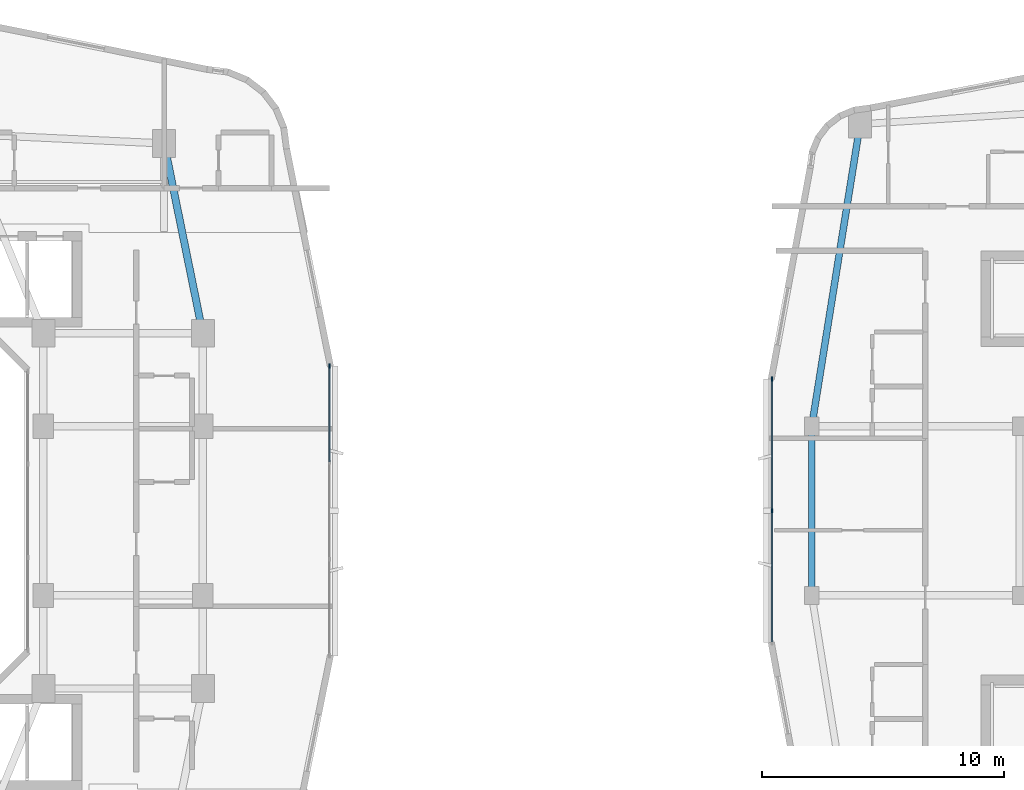
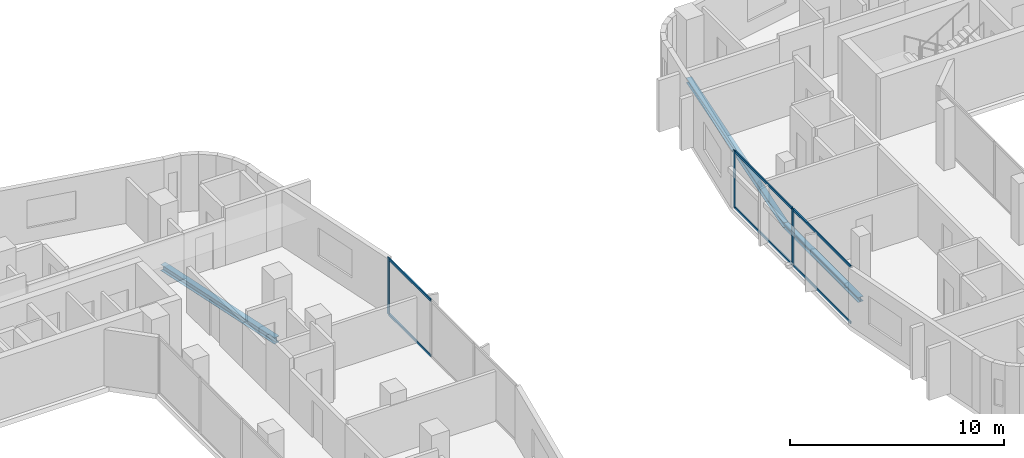
# One storey, part 6 of 26: 9 members, 3 beams, 2 elements without a shape of their own.
"""IFC4 building model written with IfcOpenShell, lengths in metres."""

from ifc_helpers import new_model, si_unit, derived_unit, direction, frame, origin, origin_2d, place, context, subcontext, project, spatial, rectangle, i_section, extrude, material, layer, layer_set, material_profile, profile_set, type_object, element, aggregate, save


model = new_model("IFC4")

# Units and contexts
model_context = context("Model", 3, precision=1e-05, world=origin(), true_north=direction((0.0, 1.0)))
body_context = subcontext(model_context, "Body", "Model", "MODEL_VIEW")
ifc_project = project(units=[si_unit("LENGTHUNIT", "METRE"), si_unit("AREAUNIT", "SQUARE_METRE"), si_unit("VOLUMEUNIT", "CUBIC_METRE"), si_unit("PLANEANGLEUNIT", "RADIAN"), si_unit("MASSUNIT", "GRAM", prefix="KILO"), derived_unit("THERMALTRANSMITTANCEUNIT", [(si_unit("POWERUNIT", "WATT"), 1), (si_unit("LENGTHUNIT", "METRE"), -2), (si_unit("THERMODYNAMICTEMPERATUREUNIT", "KELVIN"), -1)])], contexts=[model_context])

# Site, building, storey
site_placement = place(None, origin())
site = spatial("IfcSite", under=ifc_project, at=site_placement, CompositionType="ELEMENT")
building_placement = place(site_placement, origin())
building = spatial("IfcBuilding", under=site, at=building_placement, Name="Kivonza Crest Hotel", CompositionType="ELEMENT")
storey_placement = place(building_placement, frame((0.0, 0.0, 102.0)))
storey = spatial("IfcBuildingStorey", under=building, at=storey_placement, Name="L27", CompositionType="ELEMENT", Elevation=102.0)

# Beams
ifc_material_1 = material(Name="Steel S355", Category="steel")
ifc_material_profile_1 = material_profile(ifc_material_1, i_section(OverallWidth=0.280029296875, OverallDepth=0.280029296875, WebThickness=0.010498046875, FlangeThickness=0.01806640625, FilletRadius=0.02392578125, at=origin_2d()), Name="HEB 280")
ifc_profile_set_1 = profile_set([ifc_material_profile_1], Name="Steel S355")
beam_type_1 = type_object("IfcBeamType", Name="BM-HEB280", PredefinedType="SPANDREL", material=ifc_profile_set_1)
beam_1_placement = place(storey_placement, frame((63.0, 41.0, -0.389892578125), z_axis=(-0.157990501107, -0.987440631917, 0.0), x_axis=(0.987440631917, -0.157990501107, 0.0)))
element("IfcBeam", 1, at=beam_1_placement, inside=storey, type_object=beam_type_1, Name="Companion Tower T2 L27 perimeter spandrel NW-W2", PredefinedType="SPANDREL", context=body_context, shape_type="SweptSolid", body=[
    extrude(i_section(OverallWidth=0.280029296875, OverallDepth=0.280029296875, WebThickness=0.010498046875, FlangeThickness=0.01806640625, FilletRadius=0.02392578125, at=origin_2d()), origin(), (0.0, 0.0, 1.0), 12.658935546875),
])
beam_2_placement = place(storey_placement, frame((61.0, 28.5, -0.389892578125), z_axis=(0.0, -1.0, 0.0), x_axis=(1.0, 0.0, 0.0)))
element("IfcBeam", 2, at=beam_2_placement, inside=storey, type_object=beam_type_1, Name="Companion Tower T2 L27 perimeter spandrel W2-W1", PredefinedType="SPANDREL", context=body_context, shape_type="SweptSolid", body=[
    extrude(i_section(OverallWidth=0.280029296875, OverallDepth=0.280029296875, WebThickness=0.010498046875, FlangeThickness=0.01806640625, FilletRadius=0.02392578125, at=origin_2d()), origin(), (0.0, 0.0, 1.0), 7.0),
])
ifc_material_profile_2 = material_profile(ifc_material_1, i_section(OverallWidth=0.300048828125, OverallDepth=0.360107421875, WebThickness=0.012451171875, FlangeThickness=0.0224609375, FilletRadius=0.027099609375, at=origin_2d()), Name="HEB 360")
ifc_profile_set_2 = profile_set([ifc_material_profile_2], Name="Steel S355")
beam_type_2 = type_object("IfcBeamType", Name="BM-HEB360", PredefinedType="SPANDREL", material=ifc_profile_set_2)
beam_3_placement = place(storey_placement, frame((35.800048828125, 32.35009765625, -0.4599609375), z_axis=(-0.199730733965, 0.979850822273, 0.0), x_axis=(-0.979850822273, -0.199730733965, 0.0)))
element("IfcBeam", 3, at=beam_3_placement, inside=storey, type_object=beam_type_2, Name="Tower T1 L27 perimeter spandrel PNE-NE", PredefinedType="SPANDREL", context=body_context, shape_type="SweptSolid", body=[
    extrude(i_section(OverallWidth=0.300048828125, OverallDepth=0.360107421875, WebThickness=0.012451171875, FlangeThickness=0.0224609375, FilletRadius=0.027099609375, at=origin_2d()), origin(), (0.0, 0.0, 1.0), 8.01123046875),
])

# Curtain wall, member
ifc_material_2 = material(Name="Anodised bronze aluminium and low-E double glazing", Category="aluminium")
ifc_layer_1 = layer(ifc_material_2, 0.179931640625)
ifc_layer_set_1 = layer_set([ifc_layer_1], Name="Anodised bronze aluminium and low-E double glazing")
curtain_wall_type_1 = type_object("IfcCurtainWallType", Name="CW-SYS-2", PredefinedType="NOTDEFINED", material=ifc_layer_set_1)
curtain_wall_1_placement = place(storey_placement, origin())
curtain_wall_1 = element("IfcCurtainWall", 4, at=curtain_wall_1_placement, inside=storey, type_object=curtain_wall_type_1, Name="L27 unitised curtain wall CW-T1-L27-17", PredefinedType="NOTDEFINED")
ifc_material_3 = material(Name="Anodised bronze aluminium", Category="aluminium")
ifc_material_profile_3 = material_profile(ifc_material_3, rectangle(XDim=0.06494140625, YDim=0.179931640625, at=origin_2d()), Name="CW-M 65x180")
ifc_profile_set_3 = profile_set([ifc_material_profile_3], Name="Anodised bronze aluminium")
member_type_1 = type_object("IfcMemberType", Name="CW-MUL-65x180", PredefinedType="MULLION", material=ifc_profile_set_3)
member_1_placement = place(storey_placement, frame((41.0400390625, 30.987548828125, 0.0), z_axis=(0.0, 0.0, 1.0), x_axis=(-1.0, 0.0, 0.0)))
member_1 = element("IfcMember", 5, at=member_1_placement, type_object=member_type_1, Name="CW-2 mullion 4", PredefinedType="MULLION", context=body_context, shape_type="SweptSolid", body=[
    extrude(rectangle(XDim=0.06494140625, YDim=0.179931640625, at=origin_2d()), origin(), (0.0, 0.0, 1.0), 3.219970703125),
])

# Curtain wall, members
ifc_layer_2 = layer(ifc_material_2, 0.179931640625)
ifc_layer_set_2 = layer_set([ifc_layer_2], Name="Anodised bronze aluminium and low-E double glazing")
curtain_wall_type_2 = type_object("IfcCurtainWallType", Name="CW-SYS-4", PredefinedType="NOTDEFINED", material=ifc_layer_set_2)
curtain_wall_2_placement = place(storey_placement, origin())
curtain_wall_2 = element("IfcCurtainWall", 6, at=curtain_wall_2_placement, inside=storey, type_object=curtain_wall_type_2, Name="L27 unitised curtain wall CW-T2-L27-35", PredefinedType="NOTDEFINED")
member_2_placement = place(storey_placement, frame((59.360107421875, 30.447509765625, 0.0), z_axis=(0.0, 0.0, 1.0), x_axis=(1.0, 0.0, 0.0)))
member_2 = element("IfcMember", 7, at=member_2_placement, type_object=member_type_1, Name="CW-4 mullion 1", PredefinedType="MULLION", context=body_context, shape_type="SweptSolid", body=[
    extrude(rectangle(XDim=0.06494140625, YDim=0.179931640625, at=origin_2d()), origin(), (0.0, 0.0, 1.0), 3.25),
])
member_3_placement = place(storey_placement, frame((59.360107421875, 25.0, 0.0), z_axis=(0.0, 0.0, 1.0), x_axis=(1.0, 0.0, 0.0)))
member_3 = element("IfcMember", 8, at=member_3_placement, type_object=member_type_1, Name="CW-4 mullion 2", PredefinedType="MULLION", context=body_context, shape_type="SweptSolid", body=[
    extrude(rectangle(XDim=0.06494140625, YDim=0.179931640625, at=origin_2d()), origin(), (0.0, 0.0, 1.0), 3.25),
])

# Member
ifc_material_profile_4 = material_profile(ifc_material_3, rectangle(XDim=0.06494140625, YDim=0.139892578125, at=origin_2d()), Name="CW-T 65x140")
ifc_profile_set_4 = profile_set([ifc_material_profile_4], Name="Anodised bronze aluminium")
member_type_2 = type_object("IfcMemberType", Name="CW-TRN-65x140", PredefinedType="USERDEFINED", material=ifc_profile_set_4)
member_4_placement = place(storey_placement, frame((41.0400390625, 27.0390625, 0.032470703125), z_axis=(0.0, 1.0, 0.0), x_axis=(-1.0, 0.0, 0.0)))
member_4 = element("IfcMember", 9, at=member_4_placement, type_object=member_type_2, Name="CW-2 transom 3.1", ObjectType="TRANSOM", PredefinedType="USERDEFINED", context=body_context, shape_type="SweptSolid", body=[
    extrude(rectangle(XDim=0.06494140625, YDim=0.139892578125, at=origin_2d()), origin(), (0.0, 0.0, 1.0), 3.916015625),
])

member_5_placement = place(storey_placement, frame((41.0400390625, 27.0390625, 3.1875), z_axis=(0.0, 1.0, 0.0), x_axis=(-1.0, 0.0, 0.0)))
member_5 = element("IfcMember", 10, at=member_5_placement, type_object=member_type_2, Name="CW-2 transom 3.2", ObjectType="TRANSOM", PredefinedType="USERDEFINED", context=body_context, shape_type="SweptSolid", body=[
    extrude(rectangle(XDim=0.06494140625, YDim=0.139892578125, at=origin_2d()), origin(), (0.0, 0.0, 1.0), 3.916015625),
])

aggregate(curtain_wall_1, [member_1, member_4, member_5])

member_6_placement = place(storey_placement, frame((59.360107421875, 30.4150390625, 0.032470703125), z_axis=(0.0, -1.0, 0.0), x_axis=(1.0, 0.0, 0.0)))
member_6 = element("IfcMember", 11, at=member_6_placement, type_object=member_type_2, Name="CW-4 transom 1.1", ObjectType="TRANSOM", PredefinedType="USERDEFINED", context=body_context, shape_type="SweptSolid", body=[
    extrude(rectangle(XDim=0.06494140625, YDim=0.139892578125, at=origin_2d()), origin(), (0.0, 0.0, 1.0), 5.382568359375),
])

member_7_placement = place(storey_placement, frame((59.360107421875, 30.4150390625, 3.217529296875), z_axis=(0.0, -1.0, 0.0), x_axis=(1.0, 0.0, 0.0)))
member_7 = element("IfcMember", 12, at=member_7_placement, type_object=member_type_2, Name="CW-4 transom 1.2", ObjectType="TRANSOM", PredefinedType="USERDEFINED", context=body_context, shape_type="SweptSolid", body=[
    extrude(rectangle(XDim=0.06494140625, YDim=0.139892578125, at=origin_2d()), origin(), (0.0, 0.0, 1.0), 5.382568359375),
])

member_8_placement = place(storey_placement, frame((59.360107421875, 24.967529296875, 0.032470703125), z_axis=(0.0, -1.0, 0.0), x_axis=(1.0, 0.0, 0.0)))
member_8 = element("IfcMember", 13, at=member_8_placement, type_object=member_type_2, Name="CW-4 transom 2.1", ObjectType="TRANSOM", PredefinedType="USERDEFINED", context=body_context, shape_type="SweptSolid", body=[
    extrude(rectangle(XDim=0.06494140625, YDim=0.139892578125, at=origin_2d()), origin(), (0.0, 0.0, 1.0), 5.382568359375),
])

member_9_placement = place(storey_placement, frame((59.360107421875, 24.967529296875, 3.217529296875), z_axis=(0.0, -1.0, 0.0), x_axis=(1.0, 0.0, 0.0)))
member_9 = element("IfcMember", 14, at=member_9_placement, type_object=member_type_2, Name="CW-4 transom 2.2", ObjectType="TRANSOM", PredefinedType="USERDEFINED", context=body_context, shape_type="SweptSolid", body=[
    extrude(rectangle(XDim=0.06494140625, YDim=0.139892578125, at=origin_2d()), origin(), (0.0, 0.0, 1.0), 5.382568359375),
])

aggregate(curtain_wall_2, [member_2, member_3, member_6, member_7, member_8, member_9])

save(model, "model.ifc")
